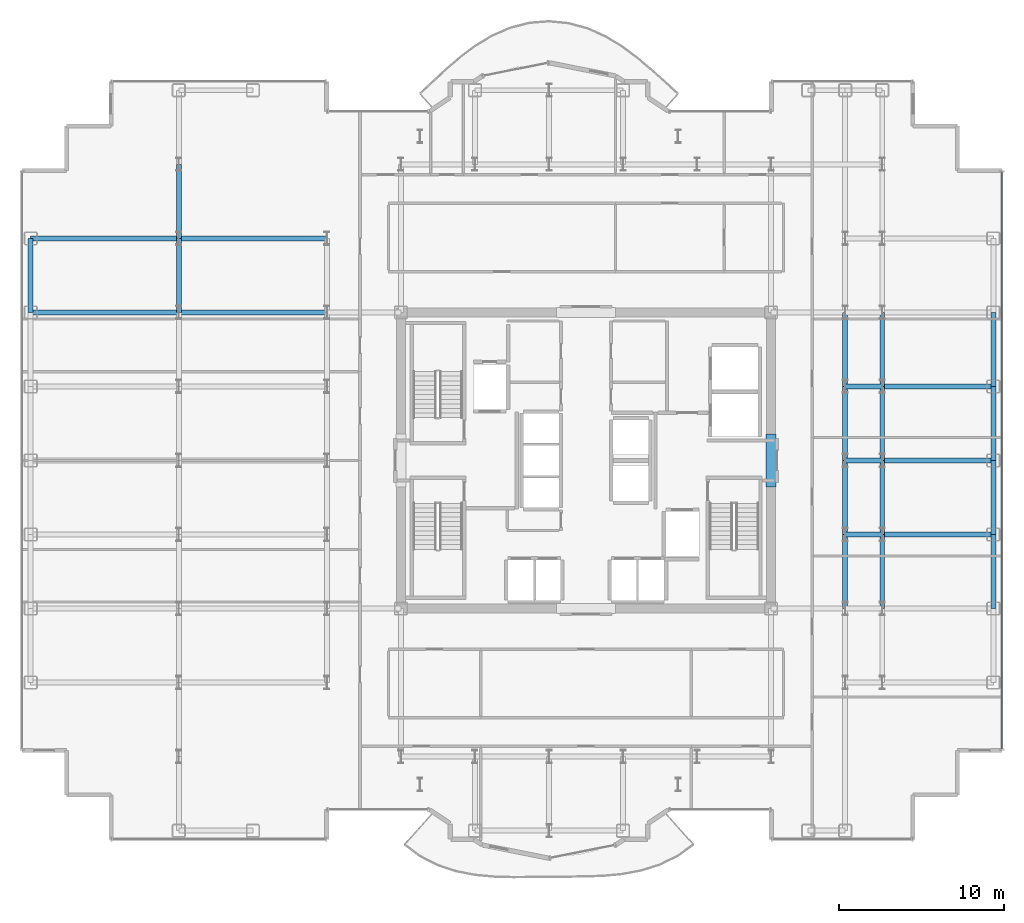
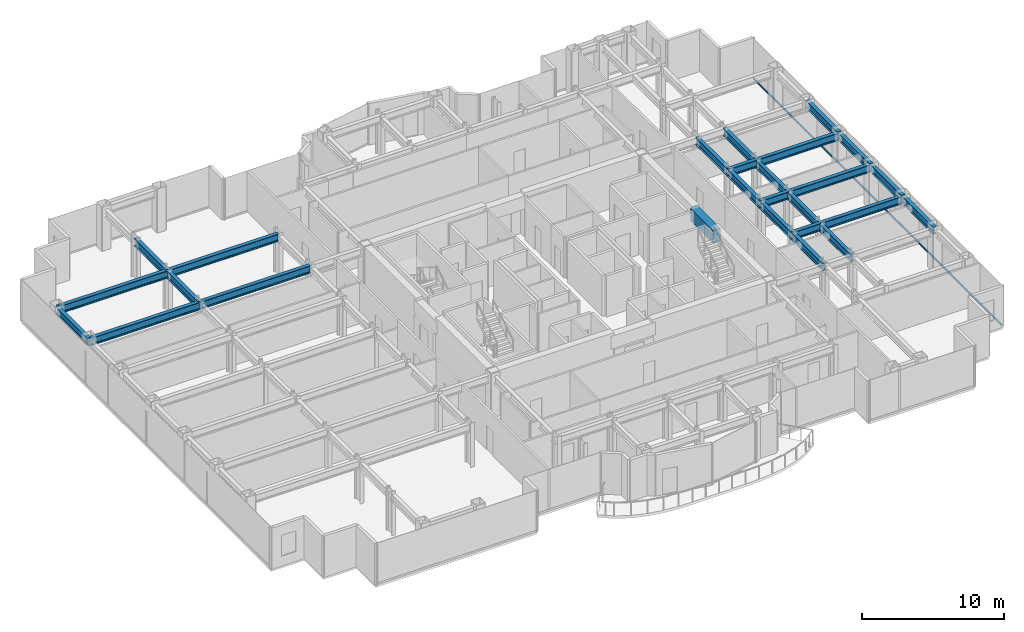
# One storey, part 9 of 22: 26 beams, 1 member, 1 element without a shape of its own.
"""IFC4 building model written with IfcOpenShell, lengths in metres."""

import ifcopenshell
import ifcopenshell.guid

model = None  # the IFC model being written
_history = None  # IfcOwnerHistory: only IFC2X3 demands one
_inside = {}  # id of a spatial element -> (the spatial element, [elements in it])
_under = {}  # id of a project, library or spatial element -> (it, [spatial elements below it])
_declared = {}  # id of a project -> (the project, [libraries it declares])
_typed = {}  # id of a type object -> (the type object, [elements of that type])
_made_of = {}  # id of a material, layer set ... -> (it, [elements and type objects made of it])


def new_model(schema):
    """Start an empty IFC model of exactly this schema.

    Asked for "IFC4X3", IfcOpenShell would pick the latest addendum, in which some entities
    have other attributes; the version numbers below select the first issue.
    IFC2X3 requires an IfcOwnerHistory on every rooted entity: one is made here for all.
    """
    global model, _history
    if schema == "IFC4X3":
        model = ifcopenshell.file(schema_version=(4, 3, 0, 0))
    else:
        model = ifcopenshell.file(schema=schema)
    _inside.clear()
    _under.clear()
    _declared.clear()
    _typed.clear()
    _made_of.clear()
    _history = None
    if model.schema == "IFC2X3":
        org = make("IfcOrganization", Name="unknown")
        user = make(
            "IfcPersonAndOrganization",
            ThePerson=make("IfcPerson", FamilyName="unknown"),
            TheOrganization=org,
        )
        app = make(
            "IfcApplication",
            ApplicationDeveloper=org,
            Version="unknown",
            ApplicationFullName="unknown",
            ApplicationIdentifier="unknown",
        )
        _history = make(
            "IfcOwnerHistory",
            OwningUser=user,
            OwningApplication=app,
            ChangeAction="ADDED",
            CreationDate=0,
        )
    return model


def make(cls, **values):
    """One entity of the class cls with the attributes given. An attribute that is None is left unset."""
    return model.create_entity(
        cls, **{name: value for name, value in values.items() if value is not None}
    )


def rooted(cls, **values):
    """An entity with a GlobalId (a new one), such as an element, a storey or a relation."""
    return make(cls, GlobalId=ifcopenshell.guid.new(), OwnerHistory=_history, **values)


def si_unit(unit_type, name, prefix=None):
    """IfcSIUnit, for example si_unit("LENGTHUNIT", "METRE", prefix="MILLI")."""
    return make("IfcSIUnit", UnitType=unit_type, Prefix=prefix, Name=name)


def assignment(units):
    """IfcUnitAssignment: the units of a project."""
    return None if units is None else make("IfcUnitAssignment", Units=units)


def point(xyz):
    """IfcCartesianPoint."""
    return None if xyz is None else make("IfcCartesianPoint", Coordinates=xyz)


def direction(xyz):
    """IfcDirection."""
    return None if xyz is None else make("IfcDirection", DirectionRatios=xyz)


def frame(location, z_axis=None, x_axis=None):
    """IfcAxis2Placement3D, a coordinate frame: its origin and axes. An axis left out is left unset."""
    return make(
        "IfcAxis2Placement3D",
        Location=point(location),
        Axis=direction(z_axis),
        RefDirection=direction(x_axis),
    )


def frame_2d(location, x_axis=None):
    """IfcAxis2Placement2D, a coordinate frame in the plane: its origin and x axis."""
    return make(
        "IfcAxis2Placement2D", Location=point(location), RefDirection=direction(x_axis)
    )


def origin():
    """The frame at (0, 0, 0) with its axes left unset."""
    return frame((0.0, 0.0, 0.0))


def origin_2d():
    """The frame at (0, 0) in the plane with its x axis left unset."""
    return frame_2d((0.0, 0.0))


def place(relative_to, where):
    """IfcLocalPlacement: puts the frame where relative to a parent placement (None: the world)."""
    return make(
        "IfcLocalPlacement", PlacementRelTo=relative_to, RelativePlacement=where
    )


def context(
    kind, dimensions, precision=None, world=None, true_north=None, identifier=None
):
    """IfcGeometricRepresentationContext, for example the 3D "Model" context."""
    return make(
        "IfcGeometricRepresentationContext",
        ContextIdentifier=identifier,
        ContextType=kind,
        CoordinateSpaceDimension=dimensions,
        Precision=precision,
        WorldCoordinateSystem=world,
        TrueNorth=true_north,
    )


def subcontext(parent, identifier, kind, view, scale=None):
    """IfcGeometricRepresentationSubContext, for example "Body" below "Model"."""
    return make(
        "IfcGeometricRepresentationSubContext",
        ContextIdentifier=identifier,
        ContextType=kind,
        ParentContext=parent,
        TargetScale=scale,
        TargetView=view,
    )


def project(units=None, contexts=None):
    """IfcProject with its units and contexts."""
    return rooted(
        "IfcProject",
        Name="project",
        RepresentationContexts=contexts,
        UnitsInContext=assignment(units),
    )


def spatial(cls, under=None, at=None, **own):
    """A site, building, storey or space (cls), placed at a placement, below another one or the project."""
    s = rooted(cls, ObjectPlacement=at, **own)
    if under is not None:
        _under.setdefault(under.id(), (under, []))[1].append(s)
    return s


def profile(cls, at=None, kind="AREA", **sizes):
    """A parametric profile (cls). Its sizes go by their IFC names, for example OverallWidth=200.0."""
    return make(cls, ProfileType=kind, Position=at, **sizes)


def rectangle(**sizes):
    """IfcRectangleProfileDef."""
    return profile("IfcRectangleProfileDef", **sizes)


def hollow_rectangle(**sizes):
    """IfcRectangleHollowProfileDef."""
    return profile("IfcRectangleHollowProfileDef", **sizes)


def i_section(**sizes):
    """IfcIShapeProfileDef."""
    return profile("IfcIShapeProfileDef", **sizes)


def extrude(swept, where, along, depth):
    """IfcExtrudedAreaSolid: the profile swept, set in the frame where, extruded along a direction by depth."""
    return make(
        "IfcExtrudedAreaSolid",
        SweptArea=swept,
        Position=where,
        ExtrudedDirection=direction(along),
        Depth=depth,
    )


def shape(context_of_items, identifier, shape_type, items):
    """IfcShapeRepresentation: the items that make up one representation, for example the "Body"."""
    return make(
        "IfcShapeRepresentation",
        ContextOfItems=context_of_items,
        RepresentationIdentifier=identifier,
        RepresentationType=shape_type,
        Items=items,
    )


def source(mapping_origin, context_of_items, identifier, shape_type, items):
    """IfcRepresentationMap: a shape defined once, which mapped items show again and again."""
    return make(
        "IfcRepresentationMap",
        MappingOrigin=mapping_origin,
        MappedRepresentation=shape(context_of_items, identifier, shape_type, items),
    )


def transform(
    local_origin,
    x_axis=None,
    y_axis=None,
    z_axis=None,
    scale=None,
    scale2=None,
    scale3=None,
    uniform=True,
):
    """IfcCartesianTransformationOperator3D, or its non-uniform kind. x_axis, y_axis, z_axis: its Axis1, 2, 3."""
    if uniform:
        return make(
            "IfcCartesianTransformationOperator3D",
            Axis1=direction(x_axis),
            Axis2=direction(y_axis),
            LocalOrigin=point(local_origin),
            Scale=scale,
            Axis3=direction(z_axis),
        )
    return make(
        "IfcCartesianTransformationOperator3DnonUniform",
        Axis1=direction(x_axis),
        Axis2=direction(y_axis),
        LocalOrigin=point(local_origin),
        Scale=scale,
        Axis3=direction(z_axis),
        Scale2=scale2,
        Scale3=scale3,
    )


def mapped(mapping_source, mapping_target):
    """IfcMappedItem: shows the shape of a source again, moved by a transform."""
    return make(
        "IfcMappedItem", MappingSource=mapping_source, MappingTarget=mapping_target
    )


def material(Name=None, Category=None):
    """IfcMaterial."""
    return make("IfcMaterial", Name=Name, Category=Category)


def layer(
    of_material, thickness, ventilated=None, Name=None, Category=None, Priority=None
):
    """IfcMaterialLayer: one layer of a wall or slab, of a material (None: an air gap)."""
    return make(
        "IfcMaterialLayer",
        Material=of_material,
        LayerThickness=thickness,
        IsVentilated=ventilated,
        Name=Name,
        Category=Category,
        Priority=Priority,
    )


def layer_set(layers, Name=None):
    """IfcMaterialLayerSet."""
    return make("IfcMaterialLayerSet", MaterialLayers=layers, LayerSetName=Name)


def material_profile(
    of_material, cross_section, Name=None, Category=None, Priority=None
):
    """IfcMaterialProfile: a cross section and its material."""
    return make(
        "IfcMaterialProfile",
        Name=Name,
        Material=of_material,
        Profile=cross_section,
        Priority=Priority,
        Category=Category,
    )


def profile_set(profiles, Name=None, composite=None):
    """IfcMaterialProfileSet."""
    return make(
        "IfcMaterialProfileSet",
        Name=Name,
        MaterialProfiles=profiles,
        CompositeProfile=composite,
    )


def made_of(thing, what):
    """Note that an element or type object is made of a material, layer set ...; save() writes the relation."""
    if what is not None:
        _made_of.setdefault(what.id(), (what, []))[1].append(thing)
    return thing


def type_object(cls, material=None, **own):
    """A type object (cls), such as IfcWallType, which elements share."""
    return made_of(rooted(cls, **own), material)


def element(
    cls,
    number,
    at=None,
    inside=None,
    cuts=None,
    type_object=None,
    material=None,
    context=None,
    identifier="Body",
    shape_type=None,
    held_by="IfcProductDefinitionShape",
    body=None,
    shapes=None,
    **own,
):
    """One element of the class cls, such as IfcWall. Its Tag is "e" and its number.

    at: its placement. inside: the storey or other place that contains it. cuts: it is an
    opening in that element (IfcRelVoidsElement). A single representation is given by context,
    identifier, shape_type and body (its items); several are given by shapes. held_by: the class
    of the entity that holds the representations. save() writes the other relations.
    """
    e = rooted(cls, Tag="e%d" % number, ObjectPlacement=at, **own)
    if body is not None:
        shapes = [shape(context, identifier, shape_type, body)]
    if shapes is not None:
        e.Representation = make(held_by, Representations=shapes)
    if inside is not None:
        _inside.setdefault(inside.id(), (inside, []))[1].append(e)
    if cuts is not None:
        rooted(
            "IfcRelVoidsElement", RelatingBuildingElement=cuts, RelatedOpeningElement=e
        )
    if type_object is not None:
        _typed.setdefault(type_object.id(), (type_object, []))[1].append(e)
    return made_of(e, material)


def aggregate(whole, parts):
    """IfcRelAggregates: a whole, such as a stair, and the parts it consists of."""
    return rooted("IfcRelAggregates", RelatingObject=whole, RelatedObjects=parts)


def save(model, path):
    """Write the relations noted so far, then the file.

    IfcRelAggregates (storeys below a building ...), IfcRelContainedInSpatialStructure (elements
    in a storey), IfcRelDefinesByType, IfcRelAssociatesMaterial and IfcRelDeclares: one each for
    every whole, place, type object, material and project.
    """
    for whole, parts in _under.values():
        aggregate(whole, parts)
    for where, things in _inside.values():
        rooted(
            "IfcRelContainedInSpatialStructure",
            RelatedElements=things,
            RelatingStructure=where,
        )
    for kind, things in _typed.values():
        rooted("IfcRelDefinesByType", RelatedObjects=things, RelatingType=kind)
    for what, things in _made_of.values():
        rooted("IfcRelAssociatesMaterial", RelatedObjects=things, RelatingMaterial=what)
    for by, libraries in _declared.values():
        rooted("IfcRelDeclares", RelatingContext=by, RelatedDefinitions=libraries)
    model.write(path)


model = new_model("IFC4")

# Units and contexts
model_context = context("Model", 3, precision=1e-05, world=origin(), true_north=direction((0.0, 1.0)))
body_context = subcontext(model_context, "Body", "Model", "MODEL_VIEW")
ifc_project = project(units=[si_unit("LENGTHUNIT", "METRE"), si_unit("AREAUNIT", "SQUARE_METRE"), si_unit("VOLUMEUNIT", "CUBIC_METRE"), si_unit("PLANEANGLEUNIT", "RADIAN"), si_unit("MASSUNIT", "GRAM", prefix="KILO")], contexts=[model_context])

# Site, building, storey
site_placement = place(None, origin())
site = spatial("IfcSite", under=ifc_project, at=site_placement, CompositionType="ELEMENT")
building_placement = place(site_placement, origin())
building = spatial("IfcBuilding", under=site, at=building_placement, Name="Nefas-Gora Pilgrimage Tower", CompositionType="ELEMENT")
storey_placement = place(building_placement, frame((0.0, 0.0, 186.800048828125)))
storey = spatial("IfcBuildingStorey", under=building, at=storey_placement, Name="L46", CompositionType="ELEMENT", Elevation=186.800048828125)

# Beams
ifc_material_1 = material(Name="Concrete C60/75", Category="concrete")
ifc_material_profile_1 = material_profile(ifc_material_1, rectangle(XDim=0.60009765625, YDim=1.10009765625, at=origin_2d()), Name="RC 600x1100")
ifc_profile_set_1 = profile_set([ifc_material_profile_1], Name="Concrete C60/75")
beam_type_1 = type_object("IfcBeamType", Name="BM-LIN-RC1100", PredefinedType="LINTEL", material=ifc_profile_set_1)
shared_shape_1 = source(origin(), body_context, "Body", "SweptSolid", [
    extrude(rectangle(XDim=0.60009765625, YDim=1.10009765625, at=origin_2d()), origin(), (0.0, 0.0, 1.0), 3.2001953125),
])
beam_placement = place(storey_placement, frame((11.25, -1.60009765625, 3.0), z_axis=(0.0, 1.0, 0.0), x_axis=(-1.0, 0.0, 0.0)))
element("IfcBeam", 1, at=beam_placement, inside=storey, type_object=beam_type_1, Name="L46 Core Coupling Lintel Beam E", PredefinedType="LINTEL", context=body_context, shape_type="MappedRepresentation", body=[
    mapped(shared_shape_1, transform((0.0, 0.0, 0.0), x_axis=(1.0, 0.0, 0.0), y_axis=(0.0, 1.0, 0.0), z_axis=(0.0, 0.0, 1.0), scale=1.0)),
])
ifc_material_2 = material(Name="Steel S355", Category="steel")
ifc_material_profile_2 = material_profile(ifc_material_2, i_section(OverallWidth=0.300048828125, OverallDepth=0.64990234375, WebThickness=0.01611328125, FlangeThickness=0.031005859375, FilletRadius=0.027099609375, at=origin_2d()), Name="HEB 650")
ifc_profile_set_2 = profile_set([ifc_material_profile_2], Name="Steel S355")
beam_type_2 = type_object("IfcBeamType", Name="BM-SPN-HEB500", PredefinedType="SPANDREL", material=ifc_profile_set_2)
shared_shape_2 = source(origin(), body_context, "Body", "SweptSolid", [
    extrude(i_section(OverallWidth=0.300048828125, OverallDepth=0.64990234375, WebThickness=0.01611328125, FlangeThickness=0.031005859375, FilletRadius=0.027099609375, at=origin_2d()), origin(), (0.0, 0.0, 1.0), 4.5),
])
for number, where, z_axis, x_axis, name in (
    (2, (-33.75, 9.0, 3.224853515625), (0.0, 1.0, 0.0), (-1.0, 0.0, 0.0), "L46 SP-02 beam"),
    (3, (24.75, -9.0, 3.224853515625), (0.0, 1.0, 0.0), (-1.0, 0.0, 0.0), "L46 SP-02 beam"),
    (4, (24.75, -4.5, 3.224853515625), (0.0, 1.0, 0.0), (-1.0, 0.0, 0.0), "L46 SP-02 beam"),
    (5, (24.75, 0.0, 3.224853515625), (0.0, 1.0, 0.0), (-1.0, 0.0, 0.0), "L46 SP-02 beam"),
    (6, (24.75, 4.5, 3.224853515625), (0.0, 1.0, 0.0), (-1.0, 0.0, 0.0), "L46 SP-02 beam"),
):
    element("IfcBeam", number, at=place(storey_placement, frame(where, z_axis=z_axis, x_axis=x_axis)), inside=storey, type_object=beam_type_2, Name=name, PredefinedType="SPANDREL", context=body_context, shape_type="MappedRepresentation", body=[
        mapped(shared_shape_2, transform((0.0, 0.0, 0.0), x_axis=(1.0, 0.0, 0.0), y_axis=(0.0, 1.0, 0.0), z_axis=(0.0, 0.0, 1.0), scale=1.0)),
    ])
ifc_material_profile_3 = material_profile(ifc_material_2, i_section(OverallWidth=0.300048828125, OverallDepth=0.64990234375, WebThickness=0.01611328125, FlangeThickness=0.031005859375, FilletRadius=0.027099609375, at=origin_2d()), Name="HEB 650")
ifc_profile_set_3 = profile_set([ifc_material_profile_3], Name="Steel S355")
beam_type_3 = type_object("IfcBeamType", Name="BM-GIR-HEB650", PredefinedType="BEAM", material=ifc_profile_set_3)
shared_shape_3 = source(origin(), body_context, "Body", "SweptSolid", [
    extrude(i_section(OverallWidth=0.300048828125, OverallDepth=0.64990234375, WebThickness=0.01611328125, FlangeThickness=0.031005859375, FilletRadius=0.027099609375, at=origin_2d()), origin(), (0.0, 0.0, 1.0), 9.0),
])
for number, where, z_axis, x_axis, name in (
    (7, (-33.75, 9.0, 3.224853515625), (1.0, 0.0, 0.0), (0.0, 1.0, 0.0), "L46 G-03 beam"),
    (8, (-33.75, 13.5, 3.224853515625), (1.0, 0.0, 0.0), (0.0, 1.0, 0.0), "L46 G-03 beam"),
    (9, (-24.75, 9.0, 3.224853515625), (1.0, 0.0, 0.0), (0.0, 1.0, 0.0), "L46 G-03 beam"),
    (10, (-24.75, 13.5, 3.224853515625), (1.0, 0.0, 0.0), (0.0, 1.0, 0.0), "L46 G-03 beam"),
):
    element("IfcBeam", number, at=place(storey_placement, frame(where, z_axis=z_axis, x_axis=x_axis)), inside=storey, type_object=beam_type_3, Name=name, PredefinedType="BEAM", context=body_context, shape_type="MappedRepresentation", body=[
        mapped(shared_shape_3, transform((0.0, 0.0, 0.0), x_axis=(1.0, 0.0, 0.0), y_axis=(0.0, 1.0, 0.0), z_axis=(0.0, 0.0, 1.0), scale=1.0)),
    ])
shared_shape_4 = source(origin(), body_context, "Body", "SweptSolid", [
    extrude(i_section(OverallWidth=0.300048828125, OverallDepth=0.64990234375, WebThickness=0.01611328125, FlangeThickness=0.031005859375, FilletRadius=0.027099609375, at=origin_2d()), origin(), (0.0, 0.0, 1.0), 4.5),
])
for number, where, z_axis, x_axis, name in (
    (11, (-24.75, 9.0, 3.224853515625), (0.0, 1.0, 0.0), (-1.0, 0.0, 0.0), "L46 G-03 beam"),
    (12, (-24.75, 13.5, 3.224853515625), (0.0, 1.0, 0.0), (-1.0, 0.0, 0.0), "L46 G-03 beam"),
    (13, (15.75, -9.0, 3.224853515625), (0.0, 1.0, 0.0), (-1.0, 0.0, 0.0), "L46 G-03 beam"),
    (14, (15.75, -4.5, 3.224853515625), (0.0, 1.0, 0.0), (-1.0, 0.0, 0.0), "L46 G-03 beam"),
    (15, (15.75, 0.0, 3.224853515625), (0.0, 1.0, 0.0), (-1.0, 0.0, 0.0), "L46 G-03 beam"),
    (16, (15.75, 4.5, 3.224853515625), (0.0, 1.0, 0.0), (-1.0, 0.0, 0.0), "L46 G-03 beam"),
    (17, (18.0, -9.0, 3.224853515625), (0.0, 1.0, 0.0), (-1.0, 0.0, 0.0), "L46 G-03 beam"),
    (18, (18.0, -4.5, 3.224853515625), (0.0, 1.0, 0.0), (-1.0, 0.0, 0.0), "L46 G-03 beam"),
    (19, (18.0, 0.0, 3.224853515625), (0.0, 1.0, 0.0), (-1.0, 0.0, 0.0), "L46 G-03 beam"),
    (20, (18.0, 4.5, 3.224853515625), (0.0, 1.0, 0.0), (-1.0, 0.0, 0.0), "L46 G-03 beam"),
):
    element("IfcBeam", number, at=place(storey_placement, frame(where, z_axis=z_axis, x_axis=x_axis)), inside=storey, type_object=beam_type_3, Name=name, PredefinedType="BEAM", context=body_context, shape_type="MappedRepresentation", body=[
        mapped(shared_shape_4, transform((0.0, 0.0, 0.0), x_axis=(1.0, 0.0, 0.0), y_axis=(0.0, 1.0, 0.0), z_axis=(0.0, 0.0, 1.0), scale=1.0)),
    ])
shared_shape_5 = source(origin(), body_context, "Body", "SweptSolid", [
    extrude(i_section(OverallWidth=0.300048828125, OverallDepth=0.64990234375, WebThickness=0.01611328125, FlangeThickness=0.031005859375, FilletRadius=0.027099609375, at=origin_2d()), origin(), (0.0, 0.0, 1.0), 6.75),
])
for number, where, z_axis, x_axis, name in (
    (21, (18.0, -4.5, 3.224853515625), (1.0, 0.0, 0.0), (0.0, 1.0, 0.0), "L46 G-03 beam"),
    (22, (18.0, 0.0, 3.224853515625), (1.0, 0.0, 0.0), (0.0, 1.0, 0.0), "L46 G-03 beam"),
    (23, (18.0, 4.5, 3.224853515625), (1.0, 0.0, 0.0), (0.0, 1.0, 0.0), "L46 G-03 beam"),
):
    element("IfcBeam", number, at=place(storey_placement, frame(where, z_axis=z_axis, x_axis=x_axis)), inside=storey, type_object=beam_type_3, Name=name, PredefinedType="BEAM", context=body_context, shape_type="MappedRepresentation", body=[
        mapped(shared_shape_5, transform((0.0, 0.0, 0.0), x_axis=(1.0, 0.0, 0.0), y_axis=(0.0, 1.0, 0.0), z_axis=(0.0, 0.0, 1.0), scale=1.0)),
    ])
shared_shape_6 = source(origin(), body_context, "Body", "SweptSolid", [
    extrude(i_section(OverallWidth=0.300048828125, OverallDepth=0.64990234375, WebThickness=0.01611328125, FlangeThickness=0.031005859375, FilletRadius=0.027099609375, at=origin_2d()), origin(), (0.0, 0.0, 1.0), 2.25),
])
for number, where, z_axis, x_axis, name in (
    (24, (15.75, -4.5, 3.224853515625), (1.0, 0.0, 0.0), (0.0, 1.0, 0.0), "L46 G-03 beam"),
    (25, (15.75, 0.0, 3.224853515625), (1.0, 0.0, 0.0), (0.0, 1.0, 0.0), "L46 G-03 beam"),
    (26, (15.75, 4.5, 3.224853515625), (1.0, 0.0, 0.0), (0.0, 1.0, 0.0), "L46 G-03 beam"),
):
    element("IfcBeam", number, at=place(storey_placement, frame(where, z_axis=z_axis, x_axis=x_axis)), inside=storey, type_object=beam_type_3, Name=name, PredefinedType="BEAM", context=body_context, shape_type="MappedRepresentation", body=[
        mapped(shared_shape_6, transform((0.0, 0.0, 0.0), x_axis=(1.0, 0.0, 0.0), y_axis=(0.0, 1.0, 0.0), z_axis=(0.0, 0.0, 1.0), scale=1.0)),
    ])

# Curtain wall, member
ifc_material_3 = material(Name="Dark ceramic-fritted solar-control aluminium-glass curtain wall", Category="aluminium")
ifc_layer = layer(ifc_material_3, 0.219970703125)
ifc_layer_set = layer_set([ifc_layer], Name="Dark ceramic-fritted solar-control aluminium-glass curtain wall")
curtain_wall_type = type_object("IfcCurtainWallType", Name="CW-SYS-3", PredefinedType="NOTDEFINED", material=ifc_layer_set)
curtain_wall_placement = place(storey_placement, origin())
curtain_wall = element("IfcCurtainWall", 27, at=curtain_wall_placement, inside=storey, type_object=curtain_wall_type, Name="L46 Unitised Curtain Wall CW3", PredefinedType="NOTDEFINED")
ifc_material_4 = material(Name="Anodised architectural aluminium", Category="aluminium")
ifc_material_profile_4 = material_profile(ifc_material_4, hollow_rectangle(XDim=0.080078125, YDim=0.159912109375, WallThickness=0.00439453125, InnerFilletRadius=0.00439453125, OuterFilletRadius=0.009033203125, at=origin_2d()), Name="ALU TRANSOM 80x160")
ifc_profile_set_4 = profile_set([ifc_material_profile_4], Name="Anodised architectural aluminium")
member_type = type_object("IfcMemberType", Name="CWM-TRN-3", PredefinedType="USERDEFINED", material=ifc_profile_set_4)
shared_shape_7 = source(origin(), body_context, "Body", "SweptSolid", [
    extrude(hollow_rectangle(XDim=0.080078125, YDim=0.159912109375, WallThickness=0.00439453125, InnerFilletRadius=0.00439453125, OuterFilletRadius=0.009033203125, at=origin_2d()), origin(), (0.0, 0.0, 1.0), 35.06005859375),
])
member_placement = place(storey_placement, frame((25.27001953125, -17.530029296875, 0.050048828125), z_axis=(0.0, 1.0, 0.0), x_axis=(-1.0, 0.0, 0.0)))
member = element("IfcMember", 28, at=member_placement, type_object=member_type, Name="CW3 Spandrel Transom", ObjectType="TRANSOM", PredefinedType="USERDEFINED", context=body_context, shape_type="MappedRepresentation", body=[
    mapped(shared_shape_7, transform((0.0, 0.0, 0.0), x_axis=(1.0, 0.0, 0.0), y_axis=(0.0, 1.0, 0.0), z_axis=(0.0, 0.0, 1.0), scale=1.0)),
])
aggregate(curtain_wall, [member])

save(model, "model.ifc")
